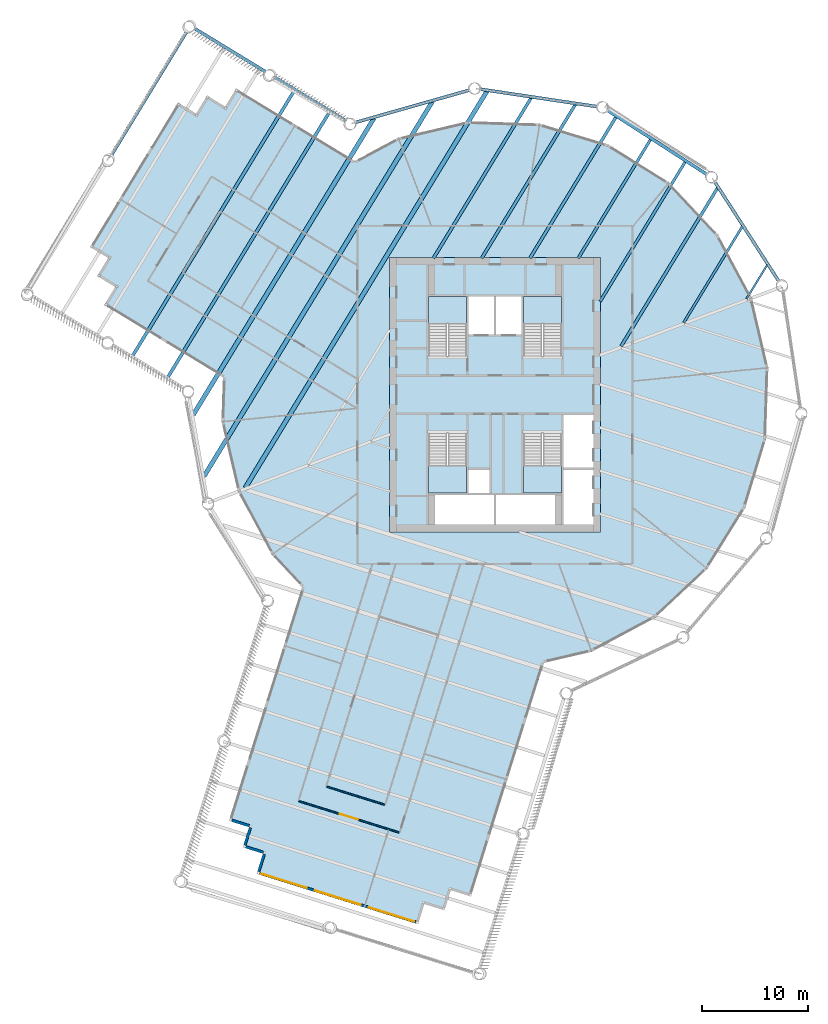
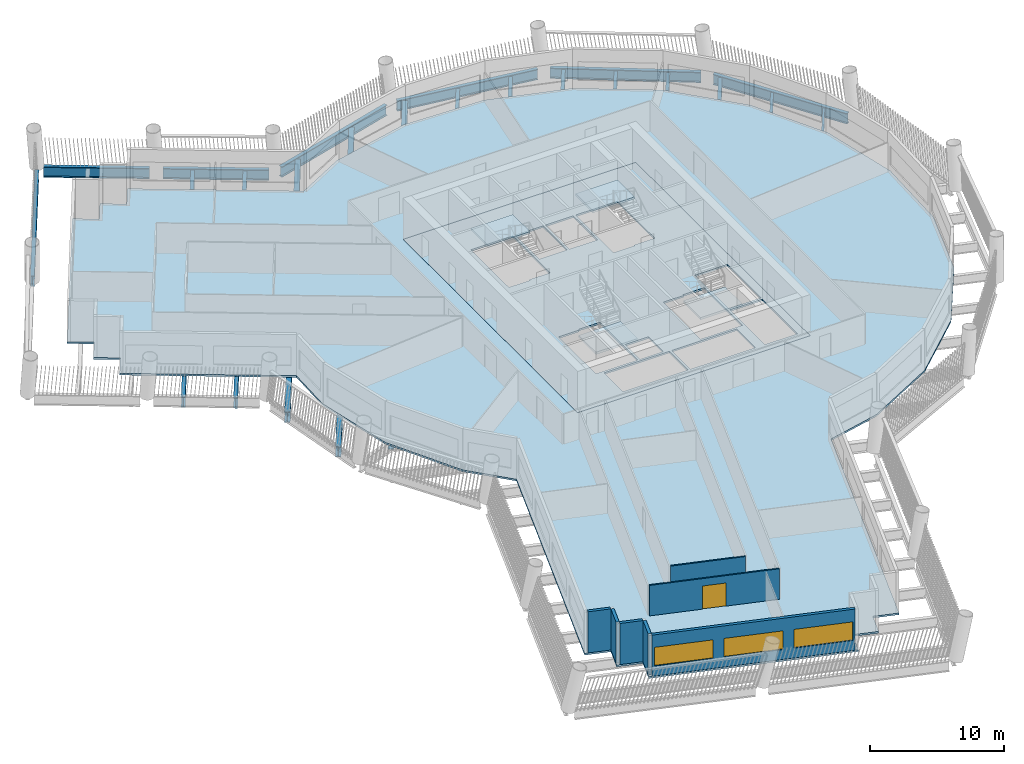
# One storey, part 2 of 15: 20 beams, 7 walls, 6 slabs, 3 windows, 1 door, 4 openings, 4 elements without a shape of their own.
"""IFC4 building model written with IfcOpenShell, lengths in metres."""

from ifc_helpers import new_model, si_unit, direction, frame, frame_2d, origin, origin_2d, place, context, subcontext, project, spatial, polyline, rectangle, i_section, outline, extrude, material, layer, layer_set, material_profile, profile_set, type_object, element, fill, aggregate, save


model = new_model("IFC4")

# Units and contexts
model_context = context("Model", 3, precision=1e-05, world=origin(), true_north=direction((0.0, 1.0)))
body_context = subcontext(model_context, "Body", "Model", "MODEL_VIEW")
ifc_project = project(units=[si_unit("LENGTHUNIT", "METRE"), si_unit("AREAUNIT", "SQUARE_METRE"), si_unit("VOLUMEUNIT", "CUBIC_METRE"), si_unit("PLANEANGLEUNIT", "RADIAN"), si_unit("MASSUNIT", "GRAM", prefix="KILO")], contexts=[model_context])

# Site, building, storey
site_placement = place(None, origin())
site = spatial("IfcSite", under=ifc_project, at=site_placement, CompositionType="ELEMENT")
building_placement = place(site_placement, origin())
building = spatial("IfcBuilding", under=site, at=building_placement, Name="Tarsis Ring Headquarters", CompositionType="ELEMENT")
storey_placement = place(building_placement, frame((0.0, 0.0, 151.5)))
storey = spatial("IfcBuildingStorey", under=building, at=storey_placement, Name="L34", CompositionType="ELEMENT", Elevation=151.5)

# Beams
ifc_material_1 = material(Name="Structural steel S355", Category="steel")
ifc_material_profile_1 = material_profile(ifc_material_1, i_section(OverallWidth=0.177734375, OverallDepth=0.406494140625, WebThickness=0.0078125, FlangeThickness=0.0126953125, at=origin_2d()), Name="W16x40")
ifc_profile_set_1 = profile_set([ifc_material_profile_1], Name="Structural steel S355")
beam_type_1 = type_object("IfcBeamType", Name="FB Floor beam W16x40", PredefinedType="JOIST", material=ifc_profile_set_1)
beam_1_placement = place(storey_placement, frame((25.771484375, 12.310546875, -0.36328125), z_axis=(-0.520408917683, -0.853917184741, 0.0), x_axis=(0.853917184741, -0.520408917683, 0.0)))
element("IfcBeam", 1, at=beam_1_placement, inside=storey, type_object=beam_type_1, Name="Floor beam FB1", PredefinedType="JOIST", context=body_context, shape_type="SweptSolid", body=[
    extrude(i_section(OverallWidth=0.177734375, OverallDepth=0.406494140625, WebThickness=0.0078125, FlangeThickness=0.0126953125, at=origin_2d()), origin(), (0.0, 0.0, 1.0), 3.80517578125),
])
ifc_material_profile_2 = material_profile(ifc_material_1, i_section(OverallWidth=0.228271484375, OverallDepth=0.607177734375, WebThickness=0.01123046875, FlangeThickness=0.017333984375, at=origin_2d()), Name="W24x76")
ifc_profile_set_2 = profile_set([ifc_material_profile_2], Name="Structural steel S355")
beam_type_2 = type_object("IfcBeamType", Name="FB Floor beam W24x76", PredefinedType="JOIST", material=ifc_profile_set_2)
beam_2_placement = place(storey_placement, frame((23.423583984375, 15.9521484375, -0.463623046875), z_axis=(-0.520420939454, -0.85390985811, 0.0), x_axis=(0.85390985811, -0.520420939454, 0.0)))
element("IfcBeam", 2, at=beam_2_placement, inside=storey, type_object=beam_type_2, Name="Floor beam FB4", PredefinedType="JOIST", context=body_context, shape_type="SweptSolid", body=[
    extrude(i_section(OverallWidth=0.228271484375, OverallDepth=0.607177734375, WebThickness=0.01123046875, FlangeThickness=0.017333984375, at=origin_2d()), origin(), (0.0, 0.0, 1.0), 10.684814453125),
])
ifc_material_profile_3 = material_profile(ifc_material_1, i_section(OverallWidth=0.2666015625, OverallDepth=0.7568359375, WebThickness=0.013916015625, FlangeThickness=0.019287109375, at=origin_2d()), Name="W30x108")
ifc_profile_set_3 = profile_set([ifc_material_profile_3], Name="Structural steel S355")
beam_type_3 = type_object("IfcBeamType", Name="FB Floor beam W30x108", PredefinedType="JOIST", material=ifc_profile_set_3)
beam_3_placement = place(storey_placement, frame((18.031494140625, 22.092529296875, -0.538330078125), z_axis=(-0.520414585728, -0.853913730397, 0.0), x_axis=(0.853913730397, -0.520414585728, 0.0)))
element("IfcBeam", 3, at=beam_3_placement, inside=storey, type_object=beam_type_3, Name="Floor beam FB6", PredefinedType="JOIST", context=body_context, shape_type="SweptSolid", body=[
    extrude(i_section(OverallWidth=0.2666015625, OverallDepth=0.7568359375, WebThickness=0.013916015625, FlangeThickness=0.019287109375, at=origin_2d()), origin(), (0.0, 0.0, 1.0), 15.53271484375),
])
beam_4_placement = place(storey_placement, frame((14.753662109375, 24.20849609375, -0.538330078125), z_axis=(-0.520401300225, -0.853921827057, 0.0), x_axis=(0.853921827057, -0.520401300225, 0.0)))
element("IfcBeam", 4, at=beam_4_placement, inside=storey, type_object=beam_type_3, Name="Floor beam FB6", PredefinedType="JOIST", context=body_context, shape_type="SweptSolid", body=[
    extrude(i_section(OverallWidth=0.2666015625, OverallDepth=0.7568359375, WebThickness=0.013916015625, FlangeThickness=0.019287109375, at=origin_2d()), origin(), (0.0, 0.0, 1.0), 13.22607421875),
])
ifc_material_profile_4 = material_profile(ifc_material_1, i_section(OverallWidth=0.2919921875, OverallDepth=0.835693359375, WebThickness=0.013916015625, FlangeThickness=0.018798828125, at=origin_2d()), Name="W33x118")
ifc_profile_set_4 = profile_set([ifc_material_profile_4], Name="Structural steel S355")
beam_type_4 = type_object("IfcBeamType", Name="FB Floor beam W33x118", PredefinedType="JOIST", material=ifc_profile_set_4)
beam_5_placement = place(storey_placement, frame((21.07568359375, 19.59375, -0.577880859375), z_axis=(-0.520413408539, -0.85391444783, 0.0), x_axis=(0.85391444783, -0.520413408539, 0.0)))
element("IfcBeam", 5, at=beam_5_placement, inside=storey, type_object=beam_type_4, Name="Floor beam FB7", PredefinedType="JOIST", context=body_context, shape_type="SweptSolid", body=[
    extrude(i_section(OverallWidth=0.2919921875, OverallDepth=0.835693359375, WebThickness=0.013916015625, FlangeThickness=0.018798828125, at=origin_2d()), origin(), (0.0, 0.0, 1.0), 17.564208984375),
])
beam_6_placement = place(storey_placement, frame((11.47607421875, 26.32470703125, -0.577880859375), z_axis=(-0.520407015739, -0.853918343854, 0.0), x_axis=(0.853918343854, -0.520407015739, 0.0)))
element("IfcBeam", 6, at=beam_6_placement, inside=storey, type_object=beam_type_4, Name="Floor beam FB7", PredefinedType="JOIST", context=body_context, shape_type="SweptSolid", body=[
    extrude(i_section(OverallWidth=0.2919921875, OverallDepth=0.835693359375, WebThickness=0.013916015625, FlangeThickness=0.018798828125, at=origin_2d()), origin(), (0.0, 0.0, 1.0), 15.704345703125),
])
beam_7_placement = place(storey_placement, frame((7.629638671875, 27.5068359375, -0.577880859375), z_axis=(-0.52041868072, -0.853911234706, 0.0), x_axis=(0.853911234706, -0.52041868072, 0.0)))
element("IfcBeam", 7, at=beam_7_placement, inside=storey, type_object=beam_type_4, Name="Floor beam FB7", PredefinedType="JOIST", context=body_context, shape_type="SweptSolid", body=[
    extrude(i_section(OverallWidth=0.2919921875, OverallDepth=0.835693359375, WebThickness=0.013916015625, FlangeThickness=0.018798828125, at=origin_2d()), origin(), (0.0, 0.0, 1.0), 17.0888671875),
])
beam_8_placement = place(storey_placement, frame((3.44384765625, 28.1328125, -0.577880859375), z_axis=(-0.520412315388, -0.853915114044, 0.0), x_axis=(0.853915114044, -0.520412315388, 0.0)))
element("IfcBeam", 8, at=beam_8_placement, inside=storey, type_object=beam_type_4, Name="Floor beam FB7", PredefinedType="JOIST", context=body_context, shape_type="SweptSolid", body=[
    extrude(i_section(OverallWidth=0.2919921875, OverallDepth=0.835693359375, WebThickness=0.013916015625, FlangeThickness=0.018798828125, at=origin_2d()), origin(), (0.0, 0.0, 1.0), 17.82177734375),
])
ifc_material_profile_5 = material_profile(ifc_material_1, i_section(OverallWidth=0.309814453125, OverallDepth=0.949951171875, WebThickness=0.0244140625, FlangeThickness=0.0439453125, at=origin_2d()), Name="W36x256")
ifc_profile_set_5 = profile_set([ifc_material_profile_5], Name="Structural steel S355")
beam_type_5 = type_object("IfcBeamType", Name="FB Floor beam W36x256", PredefinedType="JOIST", material=ifc_profile_set_5)
beam_9_placement = place(storey_placement, frame((-15.638427734375, 26.79833984375, -0.635009765625), z_axis=(-0.520408846471, -0.85391722814, 0.0), x_axis=(0.85391722814, -0.520408846471, 0.0)))
element("IfcBeam", 9, at=beam_9_placement, inside=storey, type_object=beam_type_5, Name="Floor beam FB11", PredefinedType="JOIST", context=body_context, shape_type="SweptSolid", body=[
    extrude(i_section(OverallWidth=0.309814453125, OverallDepth=0.949951171875, WebThickness=0.0244140625, FlangeThickness=0.0439453125, at=origin_2d()), origin(), (0.0, 0.0, 1.0), 29.490234375),
])
beam_10_placement = place(storey_placement, frame((-18.968505859375, 28.827880859375, -0.635009765625), z_axis=(-0.520418562049, -0.853911307031, 0.0), x_axis=(0.853911307031, -0.520418562049, 0.0)))
element("IfcBeam", 10, at=beam_10_placement, inside=storey, type_object=beam_type_5, Name="Floor beam FB11", PredefinedType="JOIST", context=body_context, shape_type="SweptSolid", body=[
    extrude(i_section(OverallWidth=0.309814453125, OverallDepth=0.949951171875, WebThickness=0.0244140625, FlangeThickness=0.0439453125, at=origin_2d()), origin(), (0.0, 0.0, 1.0), 29.489990234375),
])
ifc_material_profile_6 = material_profile(ifc_material_1, i_section(OverallWidth=0.42431640625, OverallDepth=0.947509765625, WebThickness=0.02392578125, FlangeThickness=0.042724609375, at=origin_2d()), Name="W36x302")
ifc_profile_set_6 = profile_set([ifc_material_profile_6], Name="Structural steel S355")
beam_type_6 = type_object("IfcBeamType", Name="FB Floor beam W36x302", PredefinedType="JOIST", material=ifc_profile_set_6)
beam_11_placement = place(storey_placement, frame((-0.741943359375, 28.758544921875, -0.6337890625), z_axis=(-0.520415768251, -0.853913009712, 0.0), x_axis=(0.853913009712, -0.520415768251, 0.0)))
element("IfcBeam", 11, at=beam_11_placement, inside=storey, type_object=beam_type_6, Name="Floor beam FB12", PredefinedType="JOIST", context=body_context, shape_type="SweptSolid", body=[
    extrude(i_section(OverallWidth=0.42431640625, OverallDepth=0.947509765625, WebThickness=0.02392578125, FlangeThickness=0.042724609375, at=origin_2d()), origin(), (0.0, 0.0, 1.0), 43.986572265625),
])
beam_12_placement = place(storey_placement, frame((-5.927490234375, 27.744140625, -0.6337890625), z_axis=(-0.520414855136, -0.853913566208, 0.0), x_axis=(0.853913566208, -0.520414855136, 0.0)))
element("IfcBeam", 12, at=beam_12_placement, inside=storey, type_object=beam_type_6, Name="Floor beam FB12", PredefinedType="JOIST", context=body_context, shape_type="SweptSolid", body=[
    extrude(i_section(OverallWidth=0.42431640625, OverallDepth=0.947509765625, WebThickness=0.02392578125, FlangeThickness=0.042724609375, at=origin_2d()), origin(), (0.0, 0.0, 1.0), 41.52392578125),
])
beam_13_placement = place(storey_placement, frame((-11.449462890625, 26.177490234375, -0.6337890625), z_axis=(-0.520415694479, -0.853913054673, 0.0), x_axis=(0.853913054673, -0.520415694479, 0.0)))
element("IfcBeam", 13, at=beam_13_placement, inside=storey, type_object=beam_type_6, Name="Floor beam FB12", PredefinedType="JOIST", context=body_context, shape_type="SweptSolid", body=[
    extrude(i_section(OverallWidth=0.42431640625, OverallDepth=0.947509765625, WebThickness=0.02392578125, FlangeThickness=0.042724609375, at=origin_2d()), origin(), (0.0, 0.0, 1.0), 32.87548828125),
])
beam_type_7 = type_object("IfcBeamType", Name="XG Ring girder W36x256", PredefinedType="BEAM", material=ifc_profile_set_5)
beam_14_placement = place(storey_placement, frame((26.911376953125, 10.662109375, -0.47509765625), z_axis=(-0.541876572609, 0.840458077513, 0.0), x_axis=(-0.840458077513, -0.541876572609, 0.0)))
element("IfcBeam", 14, at=beam_14_placement, inside=storey, type_object=beam_type_7, Name="Ring girder XG2", PredefinedType="BEAM", context=body_context, shape_type="SweptSolid", body=[
    extrude(i_section(OverallWidth=0.309814453125, OverallDepth=0.949951171875, WebThickness=0.0244140625, FlangeThickness=0.0439453125, at=origin_2d()), origin(), (0.0, 0.0, 1.0), 11.242919921875),
])
for number, where, z_axis, x_axis, name in (
    (15, (20.124267578125, 20.806884765625, -0.47509765625), (-0.840131317837, 0.542383046186, 0.0), (-0.542383046186, -0.840131317837, 0.0), "Ring girder XG2"),
    (16, (9.7587890625, 27.252197265625, -0.47509765625), (-0.989009181311, 0.147854114863, 0.0), (-0.147854114863, -0.989009181311, 0.0), "Ring girder XG2"),
):
    element("IfcBeam", number, at=place(storey_placement, frame(where, z_axis=z_axis, x_axis=x_axis)), inside=storey, type_object=beam_type_7, Name=name, PredefinedType="BEAM", context=body_context, shape_type="SweptSolid", body=[
        extrude(i_section(OverallWidth=0.309814453125, OverallDepth=0.949951171875, WebThickness=0.0244140625, FlangeThickness=0.0439453125, at=origin_2d()), origin(), (0.0, 0.0, 1.0), 11.2431640625),
    ])
beam_15_placement = place(storey_placement, frame((-2.342041015625, 28.851806640625, -0.47509765625), z_axis=(-0.962032791224, -0.272933890547, 0.0), x_axis=(0.272933890547, -0.962032791224, 0.0)))
element("IfcBeam", 17, at=beam_15_placement, inside=storey, type_object=beam_type_7, Name="Ring girder XG2", PredefinedType="BEAM", context=body_context, shape_type="SweptSolid", body=[
    extrude(i_section(OverallWidth=0.309814453125, OverallDepth=0.949951171875, WebThickness=0.0244140625, FlangeThickness=0.0439453125, at=origin_2d()), origin(), (0.0, 0.0, 1.0), 11.242919921875),
])
for number, where, z_axis, x_axis, name in (
    (18, (-14.0712890625, 25.90771484375, -0.47509765625), (-0.853917825824, 0.520407865755, 0.0), (-0.520407865755, -0.853917825824, 0.0), "Ring girder XG2"),
    (19, (-21.673095703125, 30.54052734375, -0.47509765625), (-0.853917825824, 0.520407865755, 0.0), (-0.520407865755, -0.853917825824, 0.0), "Ring girder XG2"),
):
    element("IfcBeam", number, at=place(storey_placement, frame(where, z_axis=z_axis, x_axis=x_axis)), inside=storey, type_object=beam_type_7, Name=name, PredefinedType="BEAM", context=body_context, shape_type="SweptSolid", body=[
        extrude(i_section(OverallWidth=0.309814453125, OverallDepth=0.949951171875, WebThickness=0.0244140625, FlangeThickness=0.0439453125, at=origin_2d()), origin(), (0.0, 0.0, 1.0), 7.896484375),
    ])
beam_16_placement = place(storey_placement, frame((-29.107177734375, 34.482177734375, -0.47509765625), z_axis=(-0.520415142061, -0.853913391342, 0.0), x_axis=(0.853913391342, -0.520415142061, 0.0)))
element("IfcBeam", 20, at=beam_16_placement, inside=storey, type_object=beam_type_7, Name="Ring girder XG2", PredefinedType="BEAM", context=body_context, shape_type="SweptSolid", body=[
    extrude(i_section(OverallWidth=0.309814453125, OverallDepth=0.949951171875, WebThickness=0.0244140625, FlangeThickness=0.0439453125, at=origin_2d()), origin(), (0.0, 0.0, 1.0), 13.794189453125),
])

# Slab
ifc_material_2 = material(Name="Concrete C40/50", Category="concrete")
ifc_layer_1 = layer(ifc_material_2, 0.159912109375)
ifc_layer_set_1 = layer_set([ifc_layer_1], Name="Core floor slab 160 C40/50")
slab_type_1 = type_object("IfcSlabType", Name="Core floor slab 160 C40/50", PredefinedType="FLOOR", material=ifc_layer_set_1)
slab_1_placement = place(storey_placement, frame((0.0, 0.0, -0.159912109375)))
element("IfcSlab", 21, at=slab_1_placement, inside=storey, type_object=slab_type_1, Name="L34 core floor slab", PredefinedType="FLOOR", context=body_context, shape_type="SweptSolid", body=[
    extrude(outline(polyline([(-10.0, -13.0), (10.0, -13.0), (10.0, 13.0), (-10.0, 13.0), (-10.0, -13.0)]), holes=[polyline([(-2.5, 5.699951171875), (-0.10009765625, 5.699951171875), (-0.10009765625, 9.300048828125), (-2.5, 9.300048828125), (-2.5, 5.699951171875)]), polyline([(0.10009765625, 5.699951171875), (2.5, 5.699951171875), (2.5, 9.300048828125), (0.10009765625, 9.300048828125), (0.10009765625, 5.699951171875)]), polyline([(6.5, -12.300048828125), (9.300048828125, -12.300048828125), (9.300048828125, -7.10009765625), (6.5, -7.10009765625), (6.5, -12.300048828125)]), polyline([(6.5, -6.89990234375), (9.300048828125, -6.89990234375), (9.300048828125, -1.89990234375), (6.5, -1.89990234375), (6.5, -6.89990234375)]), polyline([(-5.699951171875, -12.300048828125), (-0.10009765625, -12.300048828125), (-0.10009765625, -9.5), (-5.699951171875, -9.5), (-5.699951171875, -12.300048828125)]), polyline([(0.10009765625, -12.300048828125), (5.699951171875, -12.300048828125), (5.699951171875, -9.5), (0.10009765625, -9.5), (0.10009765625, -12.300048828125)]), polyline([(-2.5, -9.300048828125), (-0.5, -9.300048828125), (-0.5, -7.10009765625), (-2.5, -7.10009765625), (-2.5, -9.300048828125)]), polyline([(-2.699951171875, 3.760009765625), (-2.699951171875, 9.300048828125), (-6.300048828125, 9.300048828125), (-6.300048828125, 3.659912109375), (-4.4599609375, 3.659912109375), (-4.4599609375, 3.760009765625), (-2.699951171875, 3.760009765625)]), polyline([(6.300048828125, 3.760009765625), (6.300048828125, 9.300048828125), (2.699951171875, 9.300048828125), (2.699951171875, 3.659912109375), (4.5400390625, 3.659912109375), (4.5400390625, 3.760009765625), (6.300048828125, 3.760009765625)]), polyline([(-6.300048828125, -3.760009765625), (-6.300048828125, -9.300048828125), (-2.699951171875, -9.300048828125), (-2.699951171875, -3.659912109375), (-4.5400390625, -3.659912109375), (-4.5400390625, -3.760009765625), (-6.300048828125, -3.760009765625)]), polyline([(2.699951171875, -3.760009765625), (2.699951171875, -9.300048828125), (6.300048828125, -9.300048828125), (6.300048828125, -3.659912109375), (4.4599609375, -3.659912109375), (4.4599609375, -3.760009765625), (2.699951171875, -3.760009765625)])]), origin(), (0.0, 0.0, 1.0), 0.159912109375),
])

# Stair, slab
ifc_material_3 = material(Name="Core stair 1760")
stair_type = type_object("IfcStairType", Name="Core stair 1760", PredefinedType="HALF_TURN_STAIR", material=ifc_material_3)
stair_1_placement = place(storey_placement, origin())
stair_1 = element("IfcStair", 22, at=stair_1_placement, inside=storey, type_object=stair_type, Name="L34 Firefighting stair", PredefinedType="HALF_TURN_STAIR")
ifc_layer_2 = layer(ifc_material_2, 0.199951171875)
ifc_layer_set_2 = layer_set([ifc_layer_2], Name="Core stair landing 200")
slab_type_2 = type_object("IfcSlabType", Name="Core stair landing 200", PredefinedType="LANDING", material=ifc_layer_set_2)
slab_2_placement = place(storey_placement, frame((0.0, 0.0, 1.75)))
slab_2 = element("IfcSlab", 23, at=slab_2_placement, type_object=slab_type_2, Name="Stair ST1 landing 1", PredefinedType="LANDING", context=body_context, shape_type="SweptSolid", body=[
    extrude(outline(polyline([(-2.699951171875, 6.739990234375), (-2.699951171875, 9.300048828125), (-6.300048828125, 9.300048828125), (-6.300048828125, 6.739990234375), (-2.699951171875, 6.739990234375)])), origin(), (0.0, 0.0, 1.0), 0.199951171875),
])
aggregate(stair_1, [slab_2])

stair_2_placement = place(storey_placement, origin())
stair_2 = element("IfcStair", 24, at=stair_2_placement, inside=storey, type_object=stair_type, Name="L34 Exit stair B", PredefinedType="HALF_TURN_STAIR")
slab_3_placement = place(storey_placement, frame((0.0, 0.0, 1.75)))
slab_3 = element("IfcSlab", 25, at=slab_3_placement, type_object=slab_type_2, Name="Stair ST2 landing 1", PredefinedType="LANDING", context=body_context, shape_type="SweptSolid", body=[
    extrude(outline(polyline([(6.300048828125, 6.739990234375), (6.300048828125, 9.300048828125), (2.699951171875, 9.300048828125), (2.699951171875, 6.739990234375), (6.300048828125, 6.739990234375)])), origin(), (0.0, 0.0, 1.0), 0.199951171875),
])
aggregate(stair_2, [slab_3])

stair_3_placement = place(storey_placement, origin())
stair_3 = element("IfcStair", 26, at=stair_3_placement, inside=storey, type_object=stair_type, Name="L34 Exit stair C", PredefinedType="HALF_TURN_STAIR")
slab_4_placement = place(storey_placement, frame((0.0, 0.0, 1.75)))
slab_4 = element("IfcSlab", 27, at=slab_4_placement, type_object=slab_type_2, Name="Stair ST3 landing 1", PredefinedType="LANDING", context=body_context, shape_type="SweptSolid", body=[
    extrude(outline(polyline([(-6.300048828125, -6.739990234375), (-6.300048828125, -9.300048828125), (-2.699951171875, -9.300048828125), (-2.699951171875, -6.739990234375), (-6.300048828125, -6.739990234375)])), origin(), (0.0, 0.0, 1.0), 0.199951171875),
])
aggregate(stair_3, [slab_4])

stair_4_placement = place(storey_placement, origin())
stair_4 = element("IfcStair", 28, at=stair_4_placement, inside=storey, type_object=stair_type, Name="L34 Exit stair D", PredefinedType="HALF_TURN_STAIR")
slab_5_placement = place(storey_placement, frame((0.0, 0.0, 1.75)))
slab_5 = element("IfcSlab", 29, at=slab_5_placement, type_object=slab_type_2, Name="Stair ST4 landing 1", PredefinedType="LANDING", context=body_context, shape_type="SweptSolid", body=[
    extrude(outline(polyline([(2.699951171875, -6.739990234375), (2.699951171875, -9.300048828125), (6.300048828125, -9.300048828125), (6.300048828125, -6.739990234375), (2.699951171875, -6.739990234375)])), origin(), (0.0, 0.0, 1.0), 0.199951171875),
])
aggregate(stair_4, [slab_5])

# Slab
ifc_material_4 = material(Name="Concrete C35/45", Category="concrete")
ifc_layer_3 = layer(ifc_material_4, 0.159912109375)
ifc_layer_set_3 = layer_set([ifc_layer_3], Name="FS Composite floor slab 160")
slab_type_3 = type_object("IfcSlabType", Name="FS Composite floor slab 160", PredefinedType="FLOOR", material=ifc_layer_set_3)
slab_6_placement = place(storey_placement, frame((0.0, 0.0, -0.159912109375)))
element("IfcSlab", 30, at=slab_6_placement, inside=storey, type_object=slab_type_3, Name="Floor slab L34", PredefinedType="FLOOR", context=body_context, shape_type="SweptSolid", body=[
    extrude(outline(polyline([(-25.738037109375, 1.633056640625), (-25.8740234375, -2.55517578125), (-24.3310546875, -9.164794921875), (-21.130126953125, -15.14990234375), (-18.2646484375, -18.207763671875), (-25.1787109375, -40.32421875), (-23.269775390625, -40.9208984375), (-23.866455078125, -42.829833984375), (-21.95751953125, -43.426513671875), (-22.55419921875, -45.33544921875), (-7.283203125, -50.109375), (-6.686279296875, -48.200439453125), (-4.777587890625, -48.79736328125), (-4.1806640625, -46.888427734375), (-2.271728515625, -47.485107421875), (4.635986328125, -25.388427734375), (9.164794921875, -24.3310546875), (15.14990234375, -21.130126953125), (20.1025390625, -16.489013671875), (23.685302734375, -10.72412109375), (25.65380859375, -4.228515625), (25.8740234375, 2.55517578125), (24.3310546875, 9.164794921875), (21.130126953125, 15.14990234375), (16.489013671875, 20.1025390625), (10.72412109375, 23.685302734375), (4.228515625, 25.65380859375), (-2.55517578125, 25.8740234375), (-9.164794921875, 24.3310546875), (-13.265869140625, 22.1376953125), (-24.495849609375, 28.98193359375), (-25.536865234375, 27.27392578125), (-27.24462890625, 28.31494140625), (-28.285400390625, 26.60693359375), (-29.9931640625, 27.64794921875), (-38.31982421875, 13.9853515625), (-36.612060546875, 12.9443359375), (-37.65283203125, 11.236572265625), (-35.945068359375, 10.19580078125), (-36.98583984375, 8.488037109375), (-25.738037109375, 1.633056640625)]), holes=[polyline([(-10.0, -13.0), (-10.0, 13.0), (10.0, 13.0), (10.0, -13.0), (-10.0, -13.0)])]), origin(), (0.0, 0.0, 1.0), 0.159912109375),
])

# Wall, opening, door
ifc_material_5 = material(Name="Gypsum board on steel studs", Category="steel")
ifc_layer_4 = layer(ifc_material_5, 0.125)
ifc_layer_set_4 = layer_set([ifc_layer_4], Name="FL partition 125 EI 60 H2770")
wall_type_1 = type_object("IfcWallType", Name="FL partition 125 EI 60 H2770", PredefinedType="PARTITIONING", material=ifc_layer_set_4)
wall_1_placement = place(storey_placement, frame((-18.552490234375, -38.466552734375, 0.0), z_axis=(0.0, 0.0, 1.0), x_axis=(0.954445375857, -0.298385697555, 0.0)))
wall_1 = element("IfcWall", 31, at=wall_1_placement, inside=storey, type_object=wall_type_1, Name="Partition PW1", PredefinedType="PARTITIONING", context=body_context, shape_type="SweptSolid", body=[
    extrude(rectangle(XDim=9.919921875, YDim=0.125, at=frame_2d((4.9599609375, 0.0))), origin(), (0.0, 0.0, 1.0), 2.77001953125),
])
opening_1_placement = place(wall_1_placement, frame((4.06005859375, 0.0, 0.0)))
opening_1 = element("IfcOpeningElement", 32, at=opening_1_placement, cuts=wall_1, Name="Opening D34.11", PredefinedType="OPENING", context=body_context, shape_type="SweptSolid", body=[
    extrude(rectangle(XDim=1.800048828125, YDim=2.10009765625, at=frame_2d((0.89990234375, 1.050048828125))), frame((0.0, 0.072509765625, 0.0), z_axis=(0.0, -1.0, 0.0), x_axis=(1.0, 0.0, 0.0)), (0.0, 0.0, 1.0), 0.14501953125),
])
ifc_material_6 = material(Name="Fire-rated timber door leaf in steel frame", Category="steel")
door_type = type_object("IfcDoorType", Name="FL door FD60-1800", OperationType="DOUBLE_DOOR_SINGLE_SWING", PredefinedType="DOOR", material=ifc_material_6)
door_placement = place(opening_1_placement, origin())
door = element("IfcDoor", 33, at=door_placement, inside=storey, type_object=door_type, Name="Door D34.11", OperationType="DOUBLE_DOOR_SINGLE_SWING", OverallHeight=2.10009765625, OverallWidth=1.800048828125, PredefinedType="DOOR", context=body_context, shape_type="SweptSolid", body=[
    extrude(rectangle(XDim=1.800048828125, YDim=2.10009765625, at=frame_2d((0.89990234375, 1.050048828125))), frame((0.0, 0.02490234375, 0.0), z_axis=(0.0, -1.0, 0.0), x_axis=(1.0, 0.0, 0.0)), (0.0, 0.0, 1.0), 0.050048828125),
])
fill(opening_1, door)

# Walls
wall_2_placement = place(storey_placement, frame((-15.921630859375, -37.0888671875, 0.0), z_axis=(0.0, 0.0, 1.0), x_axis=(0.95445719121, -0.298347901196, 0.0)))
element("IfcWall", 34, at=wall_2_placement, inside=storey, type_object=wall_type_1, Name="Partition PW1", PredefinedType="PARTITIONING", context=body_context, shape_type="SweptSolid", body=[
    extrude(rectangle(XDim=5.719970703125, YDim=0.125, at=frame_2d((2.85986328125, 0.0))), origin(), (0.0, 0.0, 1.0), 2.77001953125),
])
ifc_material_7 = material(Name="Terracotta clad insulated panel wall", Category="masonry")
ifc_layer_5 = layer(ifc_material_7, 0.25)
ifc_layer_set_5 = layer_set([ifc_layer_5], Name="Facade wall terracotta panel 250")
wall_type_2 = type_object("IfcWallType", Name="Facade wall terracotta panel 250", PredefinedType="STANDARD", material=ifc_layer_set_5)
wall_3_placement = place(storey_placement, frame((-24.902587890625, -40.279541015625, 0.0), z_axis=(0.0, 0.0, 1.0), x_axis=(0.954472529924, -0.298298826046, 0.0)))
element("IfcWall", 35, at=wall_3_placement, inside=storey, type_object=wall_type_2, Name="External wall L34-07", PredefinedType="STANDARD", context=body_context, shape_type="SweptSolid", body=[
    extrude(rectangle(XDim=1.749755859375, YDim=0.25, at=frame_2d((0.875, 0.0))), origin(), (0.0, 0.0, 1.0), 3.739990234375),
])
for number, where, z_axis, x_axis, name in (
    (36, (-23.150390625, -40.958251953125, 0.0), (0.0, 0.0, 1.0), (-0.298425925473, -0.95443279858, 0.0), "External wall L34-08"),
    (37, (-23.590576171875, -42.78515625, 0.0), (0.0, 0.0, 1.0), (0.954484942451, -0.298259106542, 0.0), "External wall L34-09"),
):
    element("IfcWall", number, at=place(storey_placement, frame(where, z_axis=z_axis, x_axis=x_axis)), inside=storey, type_object=wall_type_2, Name=name, PredefinedType="STANDARD", context=body_context, shape_type="SweptSolid", body=[
        extrude(rectangle(XDim=1.75, YDim=0.25, at=frame_2d((0.875, 0.0))), origin(), (0.0, 0.0, 1.0), 3.739990234375),
    ])
wall_4_placement = place(storey_placement, frame((-21.83837890625, -43.4638671875, 0.0), z_axis=(0.0, 0.0, 1.0), x_axis=(-0.298298826046, -0.954472529924, 0.0)))
element("IfcWall", 38, at=wall_4_placement, inside=storey, type_object=wall_type_2, Name="External wall L34-10", PredefinedType="STANDARD", context=body_context, shape_type="SweptSolid", body=[
    extrude(rectangle(XDim=1.749755859375, YDim=0.25, at=frame_2d((0.875, 0.0))), origin(), (0.0, 0.0, 1.0), 3.739990234375),
])

# Wall, openings, windows
wall_5_placement = place(storey_placement, frame((-22.2783203125, -45.290771484375, 0.0), z_axis=(0.0, 0.0, 1.0), x_axis=(0.954449704228, -0.298371852056, 0.0)))
wall_5 = element("IfcWall", 39, at=wall_5_placement, inside=storey, type_object=wall_type_2, Name="External wall L34-11", PredefinedType="STANDARD", context=body_context, shape_type="SweptSolid", body=[
    extrude(rectangle(XDim=15.5, YDim=0.25, at=frame_2d((7.75, 0.0))), origin(), (0.0, 0.0, 1.0), 3.739990234375),
])
opening_2_placement = place(wall_5_placement, frame((0.166748046875, 0.0, 0.89990234375)))
opening_2 = element("IfcOpeningElement", 40, at=opening_2_placement, cuts=wall_5, Name="Opening WN04", PredefinedType="OPENING", context=body_context, shape_type="SweptSolid", body=[
    extrude(rectangle(XDim=4.5, YDim=1.699951171875, at=frame_2d((2.25, 0.85009765625))), frame((0.0, 0.135009765625, 0.0), z_axis=(0.0, -1.0, 0.0), x_axis=(1.0, 0.0, 0.0)), (0.0, 0.0, 1.0), 0.27001953125),
])
opening_3_placement = place(wall_5_placement, frame((5.5, 0.0, 0.89990234375)))
opening_3 = element("IfcOpeningElement", 41, at=opening_3_placement, cuts=wall_5, Name="Opening WN04", PredefinedType="OPENING", context=body_context, shape_type="SweptSolid", body=[
    extrude(rectangle(XDim=4.5, YDim=1.699951171875, at=frame_2d((2.25, 0.85009765625))), frame((0.0, 0.135009765625, 0.0), z_axis=(0.0, -1.0, 0.0), x_axis=(1.0, 0.0, 0.0)), (0.0, 0.0, 1.0), 0.27001953125),
])
opening_4_placement = place(wall_5_placement, frame((10.833251953125, 0.0, 0.89990234375)))
opening_4 = element("IfcOpeningElement", 42, at=opening_4_placement, cuts=wall_5, Name="Opening WN04", PredefinedType="OPENING", context=body_context, shape_type="SweptSolid", body=[
    extrude(rectangle(XDim=4.5, YDim=1.699951171875, at=frame_2d((2.25, 0.85009765625))), frame((0.0, 0.135009765625, 0.0), z_axis=(0.0, -1.0, 0.0), x_axis=(1.0, 0.0, 0.0)), (0.0, 0.0, 1.0), 0.27001953125),
])
ifc_material_8 = material(Name="Aluminium framed double glazing", Category="aluminium")
window_type = type_object("IfcWindowType", Name="Facade window 4500 x 1700", PartitioningType="SINGLE_PANEL", PredefinedType="WINDOW", material=ifc_material_8)
window_1_placement = place(opening_2_placement, origin())
window_1 = element("IfcWindow", 43, at=window_1_placement, inside=storey, type_object=window_type, Name="Window L34-11.1", OverallHeight=1.699951171875, OverallWidth=4.5, PartitioningType="SINGLE_PANEL", PredefinedType="WINDOW", context=body_context, shape_type="SweptSolid", body=[
    extrude(rectangle(XDim=4.5, YDim=1.699951171875, at=frame_2d((2.25, 0.85009765625))), frame((0.0, 0.030029296875, 0.0), z_axis=(0.0, -1.0, 0.0), x_axis=(1.0, 0.0, 0.0)), (0.0, 0.0, 1.0), 0.06005859375),
])
fill(opening_2, window_1)
window_2_placement = place(opening_3_placement, origin())
window_2 = element("IfcWindow", 44, at=window_2_placement, inside=storey, type_object=window_type, Name="Window L34-11.2", OverallHeight=1.699951171875, OverallWidth=4.5, PartitioningType="SINGLE_PANEL", PredefinedType="WINDOW", context=body_context, shape_type="SweptSolid", body=[
    extrude(rectangle(XDim=4.5, YDim=1.699951171875, at=frame_2d((2.25, 0.85009765625))), frame((0.0, 0.030029296875, 0.0), z_axis=(0.0, -1.0, 0.0), x_axis=(1.0, 0.0, 0.0)), (0.0, 0.0, 1.0), 0.06005859375),
])
fill(opening_3, window_2)
window_3_placement = place(opening_4_placement, origin())
window_3 = element("IfcWindow", 45, at=window_3_placement, inside=storey, type_object=window_type, Name="Window L34-11.3", OverallHeight=1.699951171875, OverallWidth=4.5, PartitioningType="SINGLE_PANEL", PredefinedType="WINDOW", context=body_context, shape_type="SweptSolid", body=[
    extrude(rectangle(XDim=4.5, YDim=1.699951171875, at=frame_2d((2.25, 0.85009765625))), frame((0.0, 0.030029296875, 0.0), z_axis=(0.0, -1.0, 0.0), x_axis=(1.0, 0.0, 0.0)), (0.0, 0.0, 1.0), 0.06005859375),
])
fill(opening_4, window_3)

save(model, "model.ifc")
